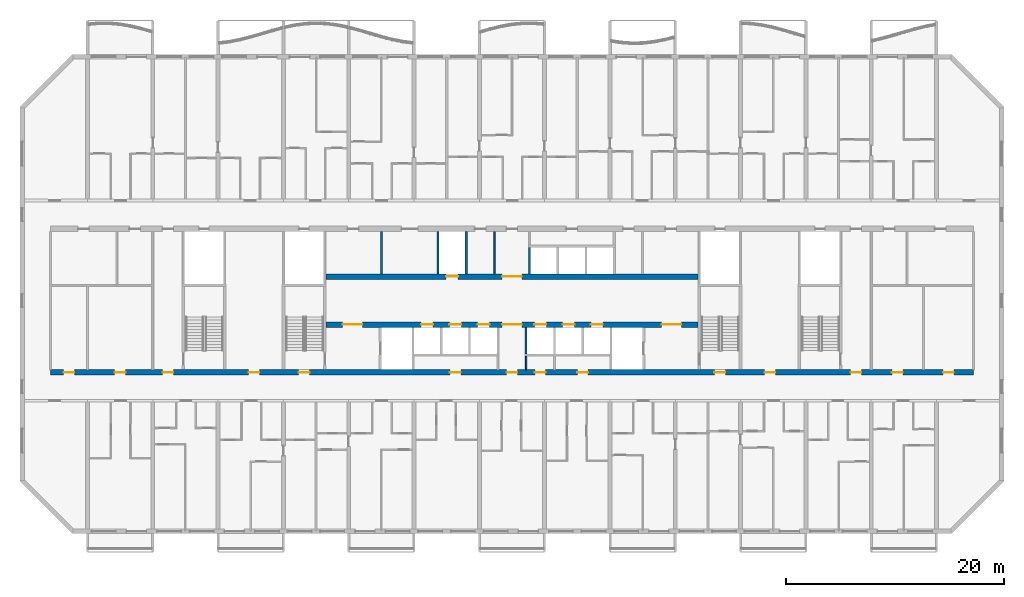
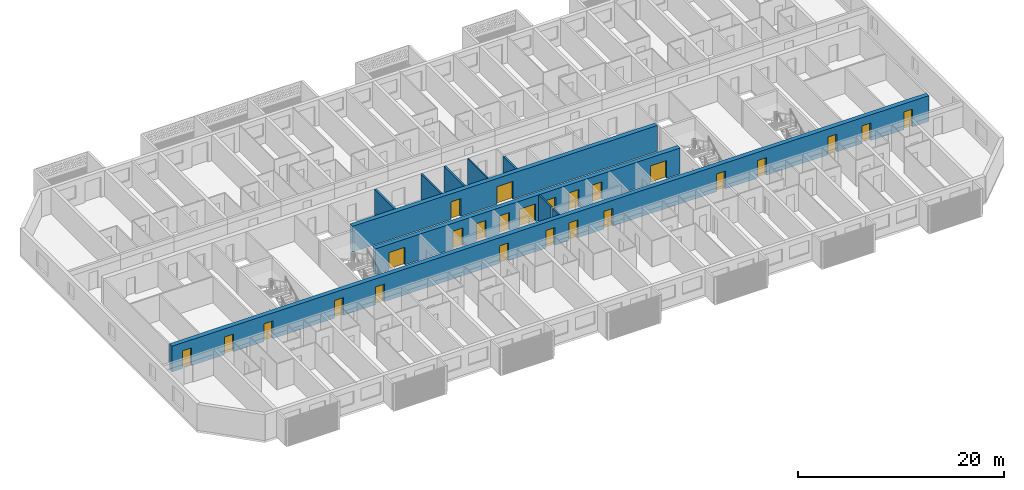
# One storey, part 7 of 29: 25 doors, 10 walls, 25 openings.
"""IFC4 building model written with IfcOpenShell, lengths in metres."""

import ifcopenshell
import ifcopenshell.guid

model = None  # the IFC model being written
_history = None  # IfcOwnerHistory: only IFC2X3 demands one
_inside = {}  # id of a spatial element -> (the spatial element, [elements in it])
_under = {}  # id of a project, library or spatial element -> (it, [spatial elements below it])
_declared = {}  # id of a project -> (the project, [libraries it declares])
_typed = {}  # id of a type object -> (the type object, [elements of that type])
_made_of = {}  # id of a material, layer set ... -> (it, [elements and type objects made of it])


def new_model(schema):
    """Start an empty IFC model of exactly this schema.

    Asked for "IFC4X3", IfcOpenShell would pick the latest addendum, in which some entities
    have other attributes; the version numbers below select the first issue.
    IFC2X3 requires an IfcOwnerHistory on every rooted entity: one is made here for all.
    """
    global model, _history
    if schema == "IFC4X3":
        model = ifcopenshell.file(schema_version=(4, 3, 0, 0))
    else:
        model = ifcopenshell.file(schema=schema)
    _inside.clear()
    _under.clear()
    _declared.clear()
    _typed.clear()
    _made_of.clear()
    _history = None
    if model.schema == "IFC2X3":
        org = make("IfcOrganization", Name="unknown")
        user = make(
            "IfcPersonAndOrganization",
            ThePerson=make("IfcPerson", FamilyName="unknown"),
            TheOrganization=org,
        )
        app = make(
            "IfcApplication",
            ApplicationDeveloper=org,
            Version="unknown",
            ApplicationFullName="unknown",
            ApplicationIdentifier="unknown",
        )
        _history = make(
            "IfcOwnerHistory",
            OwningUser=user,
            OwningApplication=app,
            ChangeAction="ADDED",
            CreationDate=0,
        )
    return model


def make(cls, **values):
    """One entity of the class cls with the attributes given. An attribute that is None is left unset."""
    return model.create_entity(
        cls, **{name: value for name, value in values.items() if value is not None}
    )


def rooted(cls, **values):
    """An entity with a GlobalId (a new one), such as an element, a storey or a relation."""
    return make(cls, GlobalId=ifcopenshell.guid.new(), OwnerHistory=_history, **values)


def si_unit(unit_type, name, prefix=None):
    """IfcSIUnit, for example si_unit("LENGTHUNIT", "METRE", prefix="MILLI")."""
    return make("IfcSIUnit", UnitType=unit_type, Prefix=prefix, Name=name)


def assignment(units):
    """IfcUnitAssignment: the units of a project."""
    return None if units is None else make("IfcUnitAssignment", Units=units)


def point(xyz):
    """IfcCartesianPoint."""
    return None if xyz is None else make("IfcCartesianPoint", Coordinates=xyz)


def direction(xyz):
    """IfcDirection."""
    return None if xyz is None else make("IfcDirection", DirectionRatios=xyz)


def frame(location, z_axis=None, x_axis=None):
    """IfcAxis2Placement3D, a coordinate frame: its origin and axes. An axis left out is left unset."""
    return make(
        "IfcAxis2Placement3D",
        Location=point(location),
        Axis=direction(z_axis),
        RefDirection=direction(x_axis),
    )


def frame_2d(location, x_axis=None):
    """IfcAxis2Placement2D, a coordinate frame in the plane: its origin and x axis."""
    return make(
        "IfcAxis2Placement2D", Location=point(location), RefDirection=direction(x_axis)
    )


def origin():
    """The frame at (0, 0, 0) with its axes left unset."""
    return frame((0.0, 0.0, 0.0))


def place(relative_to, where):
    """IfcLocalPlacement: puts the frame where relative to a parent placement (None: the world)."""
    return make(
        "IfcLocalPlacement", PlacementRelTo=relative_to, RelativePlacement=where
    )


def context(
    kind, dimensions, precision=None, world=None, true_north=None, identifier=None
):
    """IfcGeometricRepresentationContext, for example the 3D "Model" context."""
    return make(
        "IfcGeometricRepresentationContext",
        ContextIdentifier=identifier,
        ContextType=kind,
        CoordinateSpaceDimension=dimensions,
        Precision=precision,
        WorldCoordinateSystem=world,
        TrueNorth=true_north,
    )


def subcontext(parent, identifier, kind, view, scale=None):
    """IfcGeometricRepresentationSubContext, for example "Body" below "Model"."""
    return make(
        "IfcGeometricRepresentationSubContext",
        ContextIdentifier=identifier,
        ContextType=kind,
        ParentContext=parent,
        TargetScale=scale,
        TargetView=view,
    )


def project(units=None, contexts=None):
    """IfcProject with its units and contexts."""
    return rooted(
        "IfcProject",
        Name="project",
        RepresentationContexts=contexts,
        UnitsInContext=assignment(units),
    )


def spatial(cls, under=None, at=None, **own):
    """A site, building, storey or space (cls), placed at a placement, below another one or the project."""
    s = rooted(cls, ObjectPlacement=at, **own)
    if under is not None:
        _under.setdefault(under.id(), (under, []))[1].append(s)
    return s


def profile(cls, at=None, kind="AREA", **sizes):
    """A parametric profile (cls). Its sizes go by their IFC names, for example OverallWidth=200.0."""
    return make(cls, ProfileType=kind, Position=at, **sizes)


def rectangle(**sizes):
    """IfcRectangleProfileDef."""
    return profile("IfcRectangleProfileDef", **sizes)


def extrude(swept, where, along, depth):
    """IfcExtrudedAreaSolid: the profile swept, set in the frame where, extruded along a direction by depth."""
    return make(
        "IfcExtrudedAreaSolid",
        SweptArea=swept,
        Position=where,
        ExtrudedDirection=direction(along),
        Depth=depth,
    )


def shape(context_of_items, identifier, shape_type, items):
    """IfcShapeRepresentation: the items that make up one representation, for example the "Body"."""
    return make(
        "IfcShapeRepresentation",
        ContextOfItems=context_of_items,
        RepresentationIdentifier=identifier,
        RepresentationType=shape_type,
        Items=items,
    )


def material(Name=None, Category=None):
    """IfcMaterial."""
    return make("IfcMaterial", Name=Name, Category=Category)


def layer(
    of_material, thickness, ventilated=None, Name=None, Category=None, Priority=None
):
    """IfcMaterialLayer: one layer of a wall or slab, of a material (None: an air gap)."""
    return make(
        "IfcMaterialLayer",
        Material=of_material,
        LayerThickness=thickness,
        IsVentilated=ventilated,
        Name=Name,
        Category=Category,
        Priority=Priority,
    )


def layer_set(layers, Name=None):
    """IfcMaterialLayerSet."""
    return make("IfcMaterialLayerSet", MaterialLayers=layers, LayerSetName=Name)


def made_of(thing, what):
    """Note that an element or type object is made of a material, layer set ...; save() writes the relation."""
    if what is not None:
        _made_of.setdefault(what.id(), (what, []))[1].append(thing)
    return thing


def type_object(cls, material=None, **own):
    """A type object (cls), such as IfcWallType, which elements share."""
    return made_of(rooted(cls, **own), material)


def element(
    cls,
    number,
    at=None,
    inside=None,
    cuts=None,
    type_object=None,
    material=None,
    context=None,
    identifier="Body",
    shape_type=None,
    held_by="IfcProductDefinitionShape",
    body=None,
    shapes=None,
    **own,
):
    """One element of the class cls, such as IfcWall. Its Tag is "e" and its number.

    at: its placement. inside: the storey or other place that contains it. cuts: it is an
    opening in that element (IfcRelVoidsElement). A single representation is given by context,
    identifier, shape_type and body (its items); several are given by shapes. held_by: the class
    of the entity that holds the representations. save() writes the other relations.
    """
    e = rooted(cls, Tag="e%d" % number, ObjectPlacement=at, **own)
    if body is not None:
        shapes = [shape(context, identifier, shape_type, body)]
    if shapes is not None:
        e.Representation = make(held_by, Representations=shapes)
    if inside is not None:
        _inside.setdefault(inside.id(), (inside, []))[1].append(e)
    if cuts is not None:
        rooted(
            "IfcRelVoidsElement", RelatingBuildingElement=cuts, RelatedOpeningElement=e
        )
    if type_object is not None:
        _typed.setdefault(type_object.id(), (type_object, []))[1].append(e)
    return made_of(e, material)


def fill(opening, filler):
    """IfcRelFillsElement: the door or window that sits in an opening."""
    return rooted(
        "IfcRelFillsElement",
        RelatingOpeningElement=opening,
        RelatedBuildingElement=filler,
    )


def aggregate(whole, parts):
    """IfcRelAggregates: a whole, such as a stair, and the parts it consists of."""
    return rooted("IfcRelAggregates", RelatingObject=whole, RelatedObjects=parts)


def save(model, path):
    """Write the relations noted so far, then the file.

    IfcRelAggregates (storeys below a building ...), IfcRelContainedInSpatialStructure (elements
    in a storey), IfcRelDefinesByType, IfcRelAssociatesMaterial and IfcRelDeclares: one each for
    every whole, place, type object, material and project.
    """
    for whole, parts in _under.values():
        aggregate(whole, parts)
    for where, things in _inside.values():
        rooted(
            "IfcRelContainedInSpatialStructure",
            RelatedElements=things,
            RelatingStructure=where,
        )
    for kind, things in _typed.values():
        rooted("IfcRelDefinesByType", RelatedObjects=things, RelatingType=kind)
    for what, things in _made_of.values():
        rooted("IfcRelAssociatesMaterial", RelatedObjects=things, RelatingMaterial=what)
    for by, libraries in _declared.values():
        rooted("IfcRelDeclares", RelatingContext=by, RelatedDefinitions=libraries)
    model.write(path)


model = new_model("IFC4")

# Units and contexts
model_context = context("Model", 3, precision=1e-05, world=origin(), true_north=direction((0.0, 1.0)))
body_context = subcontext(model_context, "Body", "Model", "MODEL_VIEW")
ifc_project = project(units=[si_unit("LENGTHUNIT", "METRE"), si_unit("AREAUNIT", "SQUARE_METRE"), si_unit("VOLUMEUNIT", "CUBIC_METRE"), si_unit("PLANEANGLEUNIT", "RADIAN"), si_unit("MASSUNIT", "GRAM", prefix="KILO")], contexts=[model_context])

# Site, building, storey
site_placement = place(None, origin())
site = spatial("IfcSite", under=ifc_project, at=site_placement, CompositionType="ELEMENT")
building_placement = place(site_placement, origin())
building = spatial("IfcBuilding", under=site, at=building_placement, Name="Poui Terraces", CompositionType="ELEMENT")
storey_placement = place(building_placement, frame((0.0, 0.0, 86.10009765625)))
storey = spatial("IfcBuildingStorey", under=building, at=storey_placement, Name="L23", CompositionType="ELEMENT", Elevation=86.10009765625)

# Wall, openings, doors
ifc_material_1 = material(Name="Concrete 65 MPa", Category="concrete")
ifc_layer_1 = layer(ifc_material_1, 0.5)
ifc_layer_set_1 = layer_set([ifc_layer_1], Name="Concrete 65 MPa")
wall_type_1 = type_object("IfcWallType", Name="CORE WALL 500 65 MPA", PredefinedType="SOLIDWALL", material=ifc_layer_set_1)
wall_1_placement = place(storey_placement, frame((33.925048828125, 19.0, 0.0), z_axis=(0.0, 0.0, 1.0), x_axis=(1.0, 0.0, 0.0)))
wall_1 = element("IfcWall", 1, at=wall_1_placement, inside=storey, type_object=wall_type_1, Name="CORE WALL", PredefinedType="SOLIDWALL", context=body_context, shape_type="SweptSolid", body=[
    extrude(rectangle(XDim=34.14990234375, YDim=0.5, at=frame_2d((17.074951171875, 0.0))), origin(), (0.0, 0.0, 1.0), 3.059814453125),
])
opening_1_placement = place(wall_1_placement, frame((16.175048828125, 0.0, 0.0)))
opening_1 = element("IfcOpeningElement", 2, at=opening_1_placement, cuts=wall_1, Name="Opening FDD60", PredefinedType="OPENING", context=body_context, shape_type="SweptSolid", body=[
    extrude(rectangle(XDim=1.800048828125, YDim=2.10009765625, at=frame_2d((0.89990234375, 1.050048828125))), frame((0.0, 0.260009765625, 0.0), z_axis=(0.0, -1.0, 0.0), x_axis=(1.0, 0.0, 0.0)), (0.0, 0.0, 1.0), 0.52001953125),
])
opening_2_placement = place(wall_1_placement, frame((1.52490234375, 0.0, 0.0)))
opening_2 = element("IfcOpeningElement", 3, at=opening_2_placement, cuts=wall_1, Name="Opening FDD60", PredefinedType="OPENING", context=body_context, shape_type="SweptSolid", body=[
    extrude(rectangle(XDim=1.800048828125, YDim=2.10009765625, at=frame_2d((0.89990234375, 1.050048828125))), frame((0.0, 0.260009765625, 0.0), z_axis=(0.0, -1.0, 0.0), x_axis=(1.0, 0.0, 0.0)), (0.0, 0.0, 1.0), 0.52001953125),
])
opening_3_placement = place(wall_1_placement, frame((8.72509765625, 0.0, 0.0)))
opening_3 = element("IfcOpeningElement", 4, at=opening_3_placement, cuts=wall_1, Name="Opening LD", PredefinedType="OPENING", context=body_context, shape_type="SweptSolid", body=[
    extrude(rectangle(XDim=1.10009765625, YDim=2.10009765625, at=frame_2d((0.550048828125, 1.050048828125))), frame((0.0, 0.260009765625, 0.0), z_axis=(0.0, -1.0, 0.0), x_axis=(1.0, 0.0, 0.0)), (0.0, 0.0, 1.0), 0.52001953125),
])
opening_4_placement = place(wall_1_placement, frame((11.324951171875, 0.0, 0.0)))
opening_4 = element("IfcOpeningElement", 5, at=opening_4_placement, cuts=wall_1, Name="Opening LD", PredefinedType="OPENING", context=body_context, shape_type="SweptSolid", body=[
    extrude(rectangle(XDim=1.10009765625, YDim=2.10009765625, at=frame_2d((0.550048828125, 1.050048828125))), frame((0.0, 0.260009765625, 0.0), z_axis=(0.0, -1.0, 0.0), x_axis=(1.0, 0.0, 0.0)), (0.0, 0.0, 1.0), 0.52001953125),
])
opening_5_placement = place(wall_1_placement, frame((13.925048828125, 0.0, 0.0)))
opening_5 = element("IfcOpeningElement", 6, at=opening_5_placement, cuts=wall_1, Name="Opening LD", PredefinedType="OPENING", context=body_context, shape_type="SweptSolid", body=[
    extrude(rectangle(XDim=1.10009765625, YDim=2.10009765625, at=frame_2d((0.550048828125, 1.050048828125))), frame((0.0, 0.260009765625, 0.0), z_axis=(0.0, -1.0, 0.0), x_axis=(1.0, 0.0, 0.0)), (0.0, 0.0, 1.0), 0.52001953125),
])
opening_6_placement = place(wall_1_placement, frame((19.125, 0.0, 0.0)))
opening_6 = element("IfcOpeningElement", 7, at=opening_6_placement, cuts=wall_1, Name="Opening LD", PredefinedType="OPENING", context=body_context, shape_type="SweptSolid", body=[
    extrude(rectangle(XDim=1.10009765625, YDim=2.10009765625, at=frame_2d((0.550048828125, 1.050048828125))), frame((0.0, 0.260009765625, 0.0), z_axis=(0.0, -1.0, 0.0), x_axis=(1.0, 0.0, 0.0)), (0.0, 0.0, 1.0), 0.52001953125),
])
opening_7_placement = place(wall_1_placement, frame((21.72509765625, 0.0, 0.0)))
opening_7 = element("IfcOpeningElement", 8, at=opening_7_placement, cuts=wall_1, Name="Opening LD", PredefinedType="OPENING", context=body_context, shape_type="SweptSolid", body=[
    extrude(rectangle(XDim=1.10009765625, YDim=2.10009765625, at=frame_2d((0.550048828125, 1.050048828125))), frame((0.0, 0.260009765625, 0.0), z_axis=(0.0, -1.0, 0.0), x_axis=(1.0, 0.0, 0.0)), (0.0, 0.0, 1.0), 0.52001953125),
])
opening_8_placement = place(wall_1_placement, frame((24.324951171875, 0.0, 0.0)))
opening_8 = element("IfcOpeningElement", 9, at=opening_8_placement, cuts=wall_1, Name="Opening LD", PredefinedType="OPENING", context=body_context, shape_type="SweptSolid", body=[
    extrude(rectangle(XDim=1.10009765625, YDim=2.10009765625, at=frame_2d((0.550048828125, 1.050048828125))), frame((0.0, 0.260009765625, 0.0), z_axis=(0.0, -1.0, 0.0), x_axis=(1.0, 0.0, 0.0)), (0.0, 0.0, 1.0), 0.52001953125),
])
opening_9_placement = place(wall_1_placement, frame((30.824951171875, 0.0, 0.0)))
opening_9 = element("IfcOpeningElement", 10, at=opening_9_placement, cuts=wall_1, Name="Opening FDD60", PredefinedType="OPENING", context=body_context, shape_type="SweptSolid", body=[
    extrude(rectangle(XDim=1.800048828125, YDim=2.10009765625, at=frame_2d((0.89990234375, 1.050048828125))), frame((0.0, 0.260009765625, 0.0), z_axis=(0.0, -1.0, 0.0), x_axis=(1.0, 0.0, 0.0)), (0.0, 0.0, 1.0), 0.52001953125),
])
ifc_material_2 = material(Name="Steel fire door", Category="steel")
door_type_1 = type_object("IfcDoorType", Name="DOUBLE LOBBY FIRE DOOR 1800 X 2100", OperationType="DOUBLE_DOOR_SINGLE_SWING", PredefinedType="DOOR", material=ifc_material_2)
door_1_placement = place(opening_1_placement, frame((1.800048828125, 0.0, 0.0), z_axis=(0.0, 0.0, 1.0), x_axis=(-1.0, 0.0, 0.0)))
door_1 = element("IfcDoor", 11, at=door_1_placement, inside=storey, type_object=door_type_1, Name="DOUBLE LOBBY FIRE DOOR 141", OperationType="DOUBLE_DOOR_SINGLE_SWING", OverallHeight=2.10009765625, OverallWidth=1.800048828125, PredefinedType="DOOR", context=body_context, shape_type="SweptSolid", body=[
    extrude(rectangle(XDim=1.800048828125, YDim=2.10009765625, at=frame_2d((0.89990234375, 1.050048828125))), frame((0.0, 0.02490234375, 0.0), z_axis=(0.0, -1.0, 0.0), x_axis=(1.0, 0.0, 0.0)), (0.0, 0.0, 1.0), 0.050048828125),
])
fill(opening_1, door_1)
door_2_placement = place(opening_2_placement, origin())
door_2 = element("IfcDoor", 12, at=door_2_placement, inside=storey, type_object=door_type_1, Name="DOUBLE LOBBY FIRE DOOR 142", OperationType="DOUBLE_DOOR_SINGLE_SWING", OverallHeight=2.10009765625, OverallWidth=1.800048828125, PredefinedType="DOOR", context=body_context, shape_type="SweptSolid", body=[
    extrude(rectangle(XDim=1.800048828125, YDim=2.10009765625, at=frame_2d((0.89990234375, 1.050048828125))), frame((0.0, 0.02490234375, 0.0), z_axis=(0.0, -1.0, 0.0), x_axis=(1.0, 0.0, 0.0)), (0.0, 0.0, 1.0), 0.050048828125),
])
fill(opening_2, door_2)
door_3_placement = place(opening_9_placement, origin())
door_3 = element("IfcDoor", 13, at=door_3_placement, inside=storey, type_object=door_type_1, Name="DOUBLE LOBBY FIRE DOOR 150", OperationType="DOUBLE_DOOR_SINGLE_SWING", OverallHeight=2.10009765625, OverallWidth=1.800048828125, PredefinedType="DOOR", context=body_context, shape_type="SweptSolid", body=[
    extrude(rectangle(XDim=1.800048828125, YDim=2.10009765625, at=frame_2d((0.89990234375, 1.050048828125))), frame((0.0, 0.02490234375, 0.0), z_axis=(0.0, -1.0, 0.0), x_axis=(1.0, 0.0, 0.0)), (0.0, 0.0, 1.0), 0.050048828125),
])
fill(opening_9, door_3)
ifc_material_3 = material(Name="Stainless steel sliding door", Category="steel")
door_type_2 = type_object("IfcDoorType", Name="LIFT LANDING DOOR 1100 X 2100", OperationType="DOUBLE_DOOR_SLIDING", PredefinedType="DOOR", material=ifc_material_3)
door_4_placement = place(opening_3_placement, origin())
door_4 = element("IfcDoor", 14, at=door_4_placement, inside=storey, type_object=door_type_2, Name="LANDING DOOR", OperationType="DOUBLE_DOOR_SLIDING", OverallHeight=2.10009765625, OverallWidth=1.10009765625, PredefinedType="DOOR", context=body_context, shape_type="SweptSolid", body=[
    extrude(rectangle(XDim=1.10009765625, YDim=2.10009765625, at=frame_2d((0.550048828125, 1.050048828125))), frame((0.0, 0.02490234375, 0.0), z_axis=(0.0, -1.0, 0.0), x_axis=(1.0, 0.0, 0.0)), (0.0, 0.0, 1.0), 0.050048828125),
])
fill(opening_3, door_4)
door_5_placement = place(opening_4_placement, origin())
door_5 = element("IfcDoor", 15, at=door_5_placement, inside=storey, type_object=door_type_2, Name="LANDING DOOR", OperationType="DOUBLE_DOOR_SLIDING", OverallHeight=2.10009765625, OverallWidth=1.10009765625, PredefinedType="DOOR", context=body_context, shape_type="SweptSolid", body=[
    extrude(rectangle(XDim=1.10009765625, YDim=2.10009765625, at=frame_2d((0.550048828125, 1.050048828125))), frame((0.0, 0.02490234375, 0.0), z_axis=(0.0, -1.0, 0.0), x_axis=(1.0, 0.0, 0.0)), (0.0, 0.0, 1.0), 0.050048828125),
])
fill(opening_4, door_5)
door_6_placement = place(opening_5_placement, origin())
door_6 = element("IfcDoor", 16, at=door_6_placement, inside=storey, type_object=door_type_2, Name="LANDING DOOR", OperationType="DOUBLE_DOOR_SLIDING", OverallHeight=2.10009765625, OverallWidth=1.10009765625, PredefinedType="DOOR", context=body_context, shape_type="SweptSolid", body=[
    extrude(rectangle(XDim=1.10009765625, YDim=2.10009765625, at=frame_2d((0.550048828125, 1.050048828125))), frame((0.0, 0.02490234375, 0.0), z_axis=(0.0, -1.0, 0.0), x_axis=(1.0, 0.0, 0.0)), (0.0, 0.0, 1.0), 0.050048828125),
])
fill(opening_5, door_6)
door_7_placement = place(opening_6_placement, origin())
door_7 = element("IfcDoor", 17, at=door_7_placement, inside=storey, type_object=door_type_2, Name="LANDING DOOR", OperationType="DOUBLE_DOOR_SLIDING", OverallHeight=2.10009765625, OverallWidth=1.10009765625, PredefinedType="DOOR", context=body_context, shape_type="SweptSolid", body=[
    extrude(rectangle(XDim=1.10009765625, YDim=2.10009765625, at=frame_2d((0.550048828125, 1.050048828125))), frame((0.0, 0.02490234375, 0.0), z_axis=(0.0, -1.0, 0.0), x_axis=(1.0, 0.0, 0.0)), (0.0, 0.0, 1.0), 0.050048828125),
])
fill(opening_6, door_7)
door_8_placement = place(opening_7_placement, origin())
door_8 = element("IfcDoor", 18, at=door_8_placement, inside=storey, type_object=door_type_2, Name="LANDING DOOR", OperationType="DOUBLE_DOOR_SLIDING", OverallHeight=2.10009765625, OverallWidth=1.10009765625, PredefinedType="DOOR", context=body_context, shape_type="SweptSolid", body=[
    extrude(rectangle(XDim=1.10009765625, YDim=2.10009765625, at=frame_2d((0.550048828125, 1.050048828125))), frame((0.0, 0.02490234375, 0.0), z_axis=(0.0, -1.0, 0.0), x_axis=(1.0, 0.0, 0.0)), (0.0, 0.0, 1.0), 0.050048828125),
])
fill(opening_7, door_8)
door_9_placement = place(opening_8_placement, origin())
door_9 = element("IfcDoor", 19, at=door_9_placement, inside=storey, type_object=door_type_2, Name="LANDING DOOR", OperationType="DOUBLE_DOOR_SLIDING", OverallHeight=2.10009765625, OverallWidth=1.10009765625, PredefinedType="DOOR", context=body_context, shape_type="SweptSolid", body=[
    extrude(rectangle(XDim=1.10009765625, YDim=2.10009765625, at=frame_2d((0.550048828125, 1.050048828125))), frame((0.0, 0.02490234375, 0.0), z_axis=(0.0, -1.0, 0.0), x_axis=(1.0, 0.0, 0.0)), (0.0, 0.0, 1.0), 0.050048828125),
])
fill(opening_8, door_9)

wall_2_placement = place(storey_placement, frame((33.925048828125, 23.39990234375, 0.0), z_axis=(0.0, 0.0, 1.0), x_axis=(1.0, 0.0, 0.0)))
wall_2 = element("IfcWall", 20, at=wall_2_placement, inside=storey, type_object=wall_type_1, Name="CORE WALL", PredefinedType="SOLIDWALL", context=body_context, shape_type="SweptSolid", body=[
    extrude(rectangle(XDim=34.14990234375, YDim=0.5, at=frame_2d((17.074951171875, 0.0))), origin(), (0.0, 0.0, 1.0), 3.059814453125),
])
opening_10_placement = place(wall_2_placement, frame((16.175048828125, 0.0, 0.0)))
opening_10 = element("IfcOpeningElement", 21, at=opening_10_placement, cuts=wall_2, Name="Opening FDD60", PredefinedType="OPENING", context=body_context, shape_type="SweptSolid", body=[
    extrude(rectangle(XDim=1.800048828125, YDim=2.10009765625, at=frame_2d((0.89990234375, 1.050048828125))), frame((0.0, 0.260009765625, 0.0), z_axis=(0.0, -1.0, 0.0), x_axis=(1.0, 0.0, 0.0)), (0.0, 0.0, 1.0), 0.52001953125),
])
opening_11_placement = place(wall_2_placement, frame((11.02490234375, 0.0, 0.0)))
opening_11 = element("IfcOpeningElement", 22, at=opening_11_placement, cuts=wall_2, Name="Opening LD", PredefinedType="OPENING", context=body_context, shape_type="SweptSolid", body=[
    extrude(rectangle(XDim=1.10009765625, YDim=2.10009765625, at=frame_2d((0.550048828125, 1.050048828125))), frame((0.0, 0.260009765625, 0.0), z_axis=(0.0, -1.0, 0.0), x_axis=(1.0, 0.0, 0.0)), (0.0, 0.0, 1.0), 0.52001953125),
])
door_10_placement = place(opening_10_placement, origin())
door_10 = element("IfcDoor", 23, at=door_10_placement, inside=storey, type_object=door_type_1, Name="DOUBLE LOBBY FIRE DOOR 140", OperationType="DOUBLE_DOOR_SINGLE_SWING", OverallHeight=2.10009765625, OverallWidth=1.800048828125, PredefinedType="DOOR", context=body_context, shape_type="SweptSolid", body=[
    extrude(rectangle(XDim=1.800048828125, YDim=2.10009765625, at=frame_2d((0.89990234375, 1.050048828125))), frame((0.0, 0.02490234375, 0.0), z_axis=(0.0, -1.0, 0.0), x_axis=(1.0, 0.0, 0.0)), (0.0, 0.0, 1.0), 0.050048828125),
])
fill(opening_10, door_10)
door_11_placement = place(opening_11_placement, origin())
door_11 = element("IfcDoor", 24, at=door_11_placement, inside=storey, type_object=door_type_2, Name="LANDING DOOR", OperationType="DOUBLE_DOOR_SLIDING", OverallHeight=2.10009765625, OverallWidth=1.10009765625, PredefinedType="DOOR", context=body_context, shape_type="SweptSolid", body=[
    extrude(rectangle(XDim=1.10009765625, YDim=2.10009765625, at=frame_2d((0.550048828125, 1.050048828125))), frame((0.0, 0.02490234375, 0.0), z_axis=(0.0, -1.0, 0.0), x_axis=(1.0, 0.0, 0.0)), (0.0, 0.0, 1.0), 0.050048828125),
])
fill(opening_11, door_11)

# Walls
ifc_material_4 = material(Name="Fire-rated plasterboard wall")
ifc_layer_2 = layer(ifc_material_4, 0.14990234375)
ifc_layer_set_2 = layer_set([ifc_layer_2], Name="Fire-rated plasterboard wall")
wall_type_2 = type_object("IfcWallType", Name="CORRIDOR WALL 150", PredefinedType="PARTITIONING", material=ifc_layer_set_2)
wall_3_placement = place(storey_placement, frame((49.39990234375, 23.659912109375, 0.0), z_axis=(0.0, 0.0, 1.0), x_axis=(0.0, 1.0, 0.0)))
element("IfcWall", 25, at=wall_3_placement, inside=storey, type_object=wall_type_2, Name="CORRIDOR WALL 150", PredefinedType="PARTITIONING", context=body_context, shape_type="SweptSolid", body=[
    extrude(rectangle(XDim=3.880126953125, YDim=0.14990234375, at=frame_2d((1.93994140625, 0.0))), origin(), (0.0, 0.0, 1.0), 3.059814453125),
])
wall_4_placement = place(storey_placement, frame((52.300048828125, 14.860107421875, 0.0), z_axis=(0.0, 0.0, 1.0), x_axis=(0.0, 1.0, 0.0)))
element("IfcWall", 26, at=wall_4_placement, inside=storey, type_object=wall_type_2, Name="CORRIDOR WALL 150", PredefinedType="PARTITIONING", context=body_context, shape_type="SweptSolid", body=[
    extrude(rectangle(XDim=1.239990234375, YDim=0.14990234375, at=frame_2d((0.6201171875, 0.0))), origin(), (0.0, 0.0, 1.0), 3.059814453125),
])
ifc_material_5 = material(Name="Fire-rated masonry wall", Category="masonry")
ifc_layer_3 = layer(ifc_material_5, 0.199951171875)
ifc_layer_set_3 = layer_set([ifc_layer_3], Name="Fire-rated masonry wall")
wall_type_3 = type_object("IfcWallType", Name="PLANT ROOM WALL 200", PredefinedType="PARTITIONING", material=ifc_layer_set_3)
wall_5_placement = place(storey_placement, frame((39.0, 23.659912109375, 0.0), z_axis=(0.0, 0.0, 1.0), x_axis=(0.0, 1.0, 0.0)))
element("IfcWall", 27, at=wall_5_placement, inside=storey, type_object=wall_type_3, Name="PLANT ROOM WALL 200", PredefinedType="PARTITIONING", context=body_context, shape_type="SweptSolid", body=[
    extrude(rectangle(XDim=3.880126953125, YDim=0.199951171875, at=frame_2d((1.93994140625, 0.0))), origin(), (0.0, 0.0, 1.0), 3.059814453125),
])
ifc_material_6 = material(Name="Fire-rated masonry shaft wall", Category="masonry")
ifc_layer_4 = layer(ifc_material_6, 0.199951171875)
ifc_layer_set_4 = layer_set([ifc_layer_4], Name="Fire-rated masonry shaft wall")
wall_type_4 = type_object("IfcWallType", Name="SHAFT WALL 200", PredefinedType="PARTITIONING", material=ifc_layer_set_4)
for number, where, z_axis, x_axis, name in (
    (28, (44.199951171875, 23.659912109375, 0.0), (0.0, 0.0, 1.0), (0.0, 1.0, 0.0), "SHAFT WALL 200"),
    (29, (46.800048828125, 23.659912109375, 0.0), (0.0, 0.0, 1.0), (0.0, 1.0, 0.0), "SHAFT WALL 200"),
):
    element("IfcWall", number, at=place(storey_placement, frame(where, z_axis=z_axis, x_axis=x_axis)), inside=storey, type_object=wall_type_4, Name=name, PredefinedType="PARTITIONING", context=body_context, shape_type="SweptSolid", body=[
        extrude(rectangle(XDim=3.880126953125, YDim=0.199951171875, at=frame_2d((1.93994140625, 0.0))), origin(), (0.0, 0.0, 1.0), 3.059814453125),
    ])
wall_6_placement = place(storey_placement, frame((52.300048828125, 16.300048828125, 0.0), z_axis=(0.0, 0.0, 1.0), x_axis=(0.0, 1.0, 0.0)))
element("IfcWall", 30, at=wall_6_placement, inside=storey, type_object=wall_type_4, Name="SHAFT WALL 200", PredefinedType="PARTITIONING", context=body_context, shape_type="SweptSolid", body=[
    extrude(rectangle(XDim=2.43994140625, YDim=0.199951171875, at=frame_2d((1.219970703125, 0.0))), origin(), (0.0, 0.0, 1.0), 3.059814453125),
])
wall_7_placement = place(storey_placement, frame((52.60009765625, 23.659912109375, 0.0), z_axis=(0.0, 0.0, 1.0), x_axis=(0.0, 1.0, 0.0)))
element("IfcWall", 31, at=wall_7_placement, inside=storey, type_object=wall_type_4, Name="SHAFT WALL 200", PredefinedType="PARTITIONING", context=body_context, shape_type="SweptSolid", body=[
    extrude(rectangle(XDim=2.440185546875, YDim=0.199951171875, at=frame_2d((1.22021484375, 0.0))), origin(), (0.0, 0.0, 1.0), 3.059814453125),
])

# Wall, openings, doors
ifc_layer_5 = layer(ifc_material_1, 0.5)
ifc_layer_set_5 = layer_set([ifc_layer_5], Name="Concrete 65 MPa")
wall_type_5 = type_object("IfcWallType", Name="SPINE WALL 500 65 MPA", PredefinedType="SOLIDWALL", material=ifc_layer_set_5)
wall_8_placement = place(storey_placement, frame((8.60009765625, 14.60009765625, 0.0), z_axis=(0.0, 0.0, 1.0), x_axis=(1.0, 0.0, 0.0)))
wall_8 = element("IfcWall", 32, at=wall_8_placement, inside=storey, type_object=wall_type_5, Name="SPINE WALL", PredefinedType="SOLIDWALL", context=body_context, shape_type="SweptSolid", body=[
    extrude(rectangle(XDim=84.7998046875, YDim=0.5, at=frame_2d((42.39990234375, 0.0))), origin(), (0.0, 0.0, 1.0), 3.059814453125),
])
opening_12_placement = place(wall_8_placement, frame((1.199951171875, 0.0, 0.0)))
opening_12 = element("IfcOpeningElement", 33, at=opening_12_placement, cuts=wall_8, Name="Opening FD60", PredefinedType="OPENING", context=body_context, shape_type="SweptSolid", body=[
    extrude(rectangle(XDim=1.0, YDim=2.10009765625, at=frame_2d((0.5, 1.050048828125))), frame((0.0, 0.260009765625, 0.0), z_axis=(0.0, -1.0, 0.0), x_axis=(1.0, 0.0, 0.0)), (0.0, 0.0, 1.0), 0.52001953125),
])
opening_13_placement = place(wall_8_placement, frame((5.89990234375, 0.0, 0.0)))
opening_13 = element("IfcOpeningElement", 34, at=opening_13_placement, cuts=wall_8, Name="Opening FD60", PredefinedType="OPENING", context=body_context, shape_type="SweptSolid", body=[
    extrude(rectangle(XDim=1.0, YDim=2.10009765625, at=frame_2d((0.5, 1.050048828125))), frame((0.0, 0.260009765625, 0.0), z_axis=(0.0, -1.0, 0.0), x_axis=(1.0, 0.0, 0.0)), (0.0, 0.0, 1.0), 0.52001953125),
])
opening_14_placement = place(wall_8_placement, frame((10.300048828125, 0.0, 0.0)))
opening_14 = element("IfcOpeningElement", 35, at=opening_14_placement, cuts=wall_8, Name="Opening FDL", PredefinedType="OPENING", context=body_context, shape_type="SweptSolid", body=[
    extrude(rectangle(XDim=1.0, YDim=2.10009765625, at=frame_2d((0.5, 1.050048828125))), frame((0.0, 0.260009765625, 0.0), z_axis=(0.0, -1.0, 0.0), x_axis=(1.0, 0.0, 0.0)), (0.0, 0.0, 1.0), 0.52001953125),
])
opening_15_placement = place(wall_8_placement, frame((18.199951171875, 0.0, 0.0)))
opening_15 = element("IfcOpeningElement", 36, at=opening_15_placement, cuts=wall_8, Name="Opening D100", PredefinedType="OPENING", context=body_context, shape_type="SweptSolid", body=[
    extrude(rectangle(XDim=1.0, YDim=2.10009765625, at=frame_2d((0.5, 1.050048828125))), frame((0.0, 0.260009765625, 0.0), z_axis=(0.0, -1.0, 0.0), x_axis=(1.0, 0.0, 0.0)), (0.0, 0.0, 1.0), 0.52001953125),
])
opening_16_placement = place(wall_8_placement, frame((22.800048828125, 0.0, 0.0)))
opening_16 = element("IfcOpeningElement", 37, at=opening_16_placement, cuts=wall_8, Name="Opening FD60S", PredefinedType="OPENING", context=body_context, shape_type="SweptSolid", body=[
    extrude(rectangle(XDim=1.0, YDim=2.10009765625, at=frame_2d((0.5, 1.050048828125))), frame((0.0, 0.260009765625, 0.0), z_axis=(0.0, -1.0, 0.0), x_axis=(1.0, 0.0, 0.0)), (0.0, 0.0, 1.0), 0.52001953125),
])
opening_17_placement = place(wall_8_placement, frame((36.699951171875, 0.0, 0.0)))
opening_17 = element("IfcOpeningElement", 38, at=opening_17_placement, cuts=wall_8, Name="Opening FD60", PredefinedType="OPENING", context=body_context, shape_type="SweptSolid", body=[
    extrude(rectangle(XDim=1.0, YDim=2.10009765625, at=frame_2d((0.5, 1.050048828125))), frame((0.0, 0.260009765625, 0.0), z_axis=(0.0, -1.0, 0.0), x_axis=(1.0, 0.0, 0.0)), (0.0, 0.0, 1.0), 0.52001953125),
])
opening_18_placement = place(wall_8_placement, frame((41.89990234375, 0.0, 0.0)))
opening_18 = element("IfcOpeningElement", 39, at=opening_18_placement, cuts=wall_8, Name="Opening FDL", PredefinedType="OPENING", context=body_context, shape_type="SweptSolid", body=[
    extrude(rectangle(XDim=1.0, YDim=2.10009765625, at=frame_2d((0.5, 1.050048828125))), frame((0.0, 0.260009765625, 0.0), z_axis=(0.0, -1.0, 0.0), x_axis=(1.0, 0.0, 0.0)), (0.0, 0.0, 1.0), 0.52001953125),
])
opening_19_placement = place(wall_8_placement, frame((44.5, 0.0, 0.0)))
opening_19 = element("IfcOpeningElement", 40, at=opening_19_placement, cuts=wall_8, Name="Opening FD60", PredefinedType="OPENING", context=body_context, shape_type="SweptSolid", body=[
    extrude(rectangle(XDim=1.0, YDim=2.10009765625, at=frame_2d((0.5, 1.050048828125))), frame((0.0, 0.260009765625, 0.0), z_axis=(0.0, -1.0, 0.0), x_axis=(1.0, 0.0, 0.0)), (0.0, 0.0, 1.0), 0.52001953125),
])
opening_20_placement = place(wall_8_placement, frame((48.39990234375, 0.0, 0.0)))
opening_20 = element("IfcOpeningElement", 41, at=opening_20_placement, cuts=wall_8, Name="Opening FD60", PredefinedType="OPENING", context=body_context, shape_type="SweptSolid", body=[
    extrude(rectangle(XDim=1.0, YDim=2.10009765625, at=frame_2d((0.5, 1.050048828125))), frame((0.0, 0.260009765625, 0.0), z_axis=(0.0, -1.0, 0.0), x_axis=(1.0, 0.0, 0.0)), (0.0, 0.0, 1.0), 0.52001953125),
])
opening_21_placement = place(wall_8_placement, frame((61.0, 0.0, 0.0)))
opening_21 = element("IfcOpeningElement", 42, at=opening_21_placement, cuts=wall_8, Name="Opening FD60S", PredefinedType="OPENING", context=body_context, shape_type="SweptSolid", body=[
    extrude(rectangle(XDim=1.0, YDim=2.10009765625, at=frame_2d((0.5, 1.050048828125))), frame((0.0, 0.260009765625, 0.0), z_axis=(0.0, -1.0, 0.0), x_axis=(1.0, 0.0, 0.0)), (0.0, 0.0, 1.0), 0.52001953125),
])
opening_22_placement = place(wall_8_placement, frame((65.60009765625, 0.0, 0.0)))
opening_22 = element("IfcOpeningElement", 43, at=opening_22_placement, cuts=wall_8, Name="Opening D100", PredefinedType="OPENING", context=body_context, shape_type="SweptSolid", body=[
    extrude(rectangle(XDim=1.0, YDim=2.10009765625, at=frame_2d((0.5, 1.050048828125))), frame((0.0, 0.260009765625, 0.0), z_axis=(0.0, -1.0, 0.0), x_axis=(1.0, 0.0, 0.0)), (0.0, 0.0, 1.0), 0.52001953125),
])
opening_23_placement = place(wall_8_placement, frame((73.5, 0.0, 0.0)))
opening_23 = element("IfcOpeningElement", 44, at=opening_23_placement, cuts=wall_8, Name="Opening FDL", PredefinedType="OPENING", context=body_context, shape_type="SweptSolid", body=[
    extrude(rectangle(XDim=1.0, YDim=2.10009765625, at=frame_2d((0.5, 1.050048828125))), frame((0.0, 0.260009765625, 0.0), z_axis=(0.0, -1.0, 0.0), x_axis=(1.0, 0.0, 0.0)), (0.0, 0.0, 1.0), 0.52001953125),
])
opening_24_placement = place(wall_8_placement, frame((77.300048828125, 0.0, 0.0)))
opening_24 = element("IfcOpeningElement", 45, at=opening_24_placement, cuts=wall_8, Name="Opening FD60", PredefinedType="OPENING", context=body_context, shape_type="SweptSolid", body=[
    extrude(rectangle(XDim=1.0, YDim=2.10009765625, at=frame_2d((0.5, 1.050048828125))), frame((0.0, 0.260009765625, 0.0), z_axis=(0.0, -1.0, 0.0), x_axis=(1.0, 0.0, 0.0)), (0.0, 0.0, 1.0), 0.52001953125),
])
opening_25_placement = place(wall_8_placement, frame((82.0, 0.0, 0.0)))
opening_25 = element("IfcOpeningElement", 46, at=opening_25_placement, cuts=wall_8, Name="Opening D100", PredefinedType="OPENING", context=body_context, shape_type="SweptSolid", body=[
    extrude(rectangle(XDim=1.0, YDim=2.10009765625, at=frame_2d((0.5, 1.050048828125))), frame((0.0, 0.260009765625, 0.0), z_axis=(0.0, -1.0, 0.0), x_axis=(1.0, 0.0, 0.0)), (0.0, 0.0, 1.0), 0.52001953125),
])
ifc_material_7 = material(Name="Solid core timber door", Category="wood")
door_type_3 = type_object("IfcDoorType", Name="ACCESSIBLE INTERNAL DOOR 1000 X 2100", OperationType="NOTDEFINED", PredefinedType="DOOR", material=ifc_material_7)
door_12_placement = place(opening_15_placement, frame((1.0, 0.0, 0.0), z_axis=(0.0, 0.0, 1.0), x_axis=(-1.0, 0.0, 0.0)))
door_12 = element("IfcDoor", 47, at=door_12_placement, inside=storey, type_object=door_type_3, Name="ACCESSIBLE INTERNAL DOOR 021", OperationType="SINGLE_SWING_RIGHT", OverallHeight=2.10009765625, OverallWidth=1.0, PredefinedType="DOOR", context=body_context, shape_type="SweptSolid", body=[
    extrude(rectangle(XDim=1.0, YDim=2.10009765625, at=frame_2d((0.5, 1.050048828125))), frame((0.0, 0.02490234375, 0.0), z_axis=(0.0, -1.0, 0.0), x_axis=(1.0, 0.0, 0.0)), (0.0, 0.0, 1.0), 0.050048828125),
])
fill(opening_15, door_12)
door_13_placement = place(opening_22_placement, frame((1.0, 0.0, 0.0), z_axis=(0.0, 0.0, 1.0), x_axis=(-1.0, 0.0, 0.0)))
door_13 = element("IfcDoor", 48, at=door_13_placement, inside=storey, type_object=door_type_3, Name="ACCESSIBLE INTERNAL DOOR 028", OperationType="SINGLE_SWING_LEFT", OverallHeight=2.10009765625, OverallWidth=1.0, PredefinedType="DOOR", context=body_context, shape_type="SweptSolid", body=[
    extrude(rectangle(XDim=1.0, YDim=2.10009765625, at=frame_2d((0.5, 1.050048828125))), frame((0.0, 0.02490234375, 0.0), z_axis=(0.0, -1.0, 0.0), x_axis=(1.0, 0.0, 0.0)), (0.0, 0.0, 1.0), 0.050048828125),
])
fill(opening_22, door_13)
door_14_placement = place(opening_25_placement, frame((1.0, 0.0, 0.0), z_axis=(0.0, 0.0, 1.0), x_axis=(-1.0, 0.0, 0.0)))
door_14 = element("IfcDoor", 49, at=door_14_placement, inside=storey, type_object=door_type_3, Name="ACCESSIBLE INTERNAL DOOR 031", OperationType="SINGLE_SWING_LEFT", OverallHeight=2.10009765625, OverallWidth=1.0, PredefinedType="DOOR", context=body_context, shape_type="SweptSolid", body=[
    extrude(rectangle(XDim=1.0, YDim=2.10009765625, at=frame_2d((0.5, 1.050048828125))), frame((0.0, 0.02490234375, 0.0), z_axis=(0.0, -1.0, 0.0), x_axis=(1.0, 0.0, 0.0)), (0.0, 0.0, 1.0), 0.050048828125),
])
fill(opening_25, door_14)
door_type_4 = type_object("IfcDoorType", Name="LOBBY FIRE DOOR 1000 X 2100", OperationType="NOTDEFINED", PredefinedType="DOOR", material=ifc_material_2)
door_15_placement = place(opening_14_placement, frame((1.0, 0.0, 0.0), z_axis=(0.0, 0.0, 1.0), x_axis=(-1.0, 0.0, 0.0)))
door_15 = element("IfcDoor", 50, at=door_15_placement, inside=storey, type_object=door_type_4, Name="LOBBY FIRE DOOR 020", OperationType="SINGLE_SWING_RIGHT", OverallHeight=2.10009765625, OverallWidth=1.0, PredefinedType="DOOR", context=body_context, shape_type="SweptSolid", body=[
    extrude(rectangle(XDim=1.0, YDim=2.10009765625, at=frame_2d((0.5, 1.050048828125))), frame((0.0, 0.02490234375, 0.0), z_axis=(0.0, -1.0, 0.0), x_axis=(1.0, 0.0, 0.0)), (0.0, 0.0, 1.0), 0.050048828125),
])
fill(opening_14, door_15)
door_16_placement = place(opening_18_placement, frame((1.0, 0.0, 0.0), z_axis=(0.0, 0.0, 1.0), x_axis=(-1.0, 0.0, 0.0)))
door_16 = element("IfcDoor", 51, at=door_16_placement, inside=storey, type_object=door_type_4, Name="LOBBY FIRE DOOR 024", OperationType="SINGLE_SWING_LEFT", OverallHeight=2.10009765625, OverallWidth=1.0, PredefinedType="DOOR", context=body_context, shape_type="SweptSolid", body=[
    extrude(rectangle(XDim=1.0, YDim=2.10009765625, at=frame_2d((0.5, 1.050048828125))), frame((0.0, 0.02490234375, 0.0), z_axis=(0.0, -1.0, 0.0), x_axis=(1.0, 0.0, 0.0)), (0.0, 0.0, 1.0), 0.050048828125),
])
fill(opening_18, door_16)
door_17_placement = place(opening_23_placement, frame((1.0, 0.0, 0.0), z_axis=(0.0, 0.0, 1.0), x_axis=(-1.0, 0.0, 0.0)))
door_17 = element("IfcDoor", 52, at=door_17_placement, inside=storey, type_object=door_type_4, Name="LOBBY FIRE DOOR 029", OperationType="SINGLE_SWING_LEFT", OverallHeight=2.10009765625, OverallWidth=1.0, PredefinedType="DOOR", context=body_context, shape_type="SweptSolid", body=[
    extrude(rectangle(XDim=1.0, YDim=2.10009765625, at=frame_2d((0.5, 1.050048828125))), frame((0.0, 0.02490234375, 0.0), z_axis=(0.0, -1.0, 0.0), x_axis=(1.0, 0.0, 0.0)), (0.0, 0.0, 1.0), 0.050048828125),
])
fill(opening_23, door_17)
door_type_5 = type_object("IfcDoorType", Name="SERVICE ROOM FIRE DOOR 1000 X 2100", OperationType="NOTDEFINED", PredefinedType="DOOR", material=ifc_material_2)
door_18_placement = place(opening_12_placement, frame((1.0, 0.0, 0.0), z_axis=(0.0, 0.0, 1.0), x_axis=(-1.0, 0.0, 0.0)))
door_18 = element("IfcDoor", 53, at=door_18_placement, inside=storey, type_object=door_type_5, Name="SERVICE ROOM FIRE DOOR 018", OperationType="SINGLE_SWING_RIGHT", OverallHeight=2.10009765625, OverallWidth=1.0, PredefinedType="DOOR", context=body_context, shape_type="SweptSolid", body=[
    extrude(rectangle(XDim=1.0, YDim=2.10009765625, at=frame_2d((0.5, 1.050048828125))), frame((0.0, 0.02490234375, 0.0), z_axis=(0.0, -1.0, 0.0), x_axis=(1.0, 0.0, 0.0)), (0.0, 0.0, 1.0), 0.050048828125),
])
fill(opening_12, door_18)
door_19_placement = place(opening_13_placement, frame((1.0, 0.0, 0.0), z_axis=(0.0, 0.0, 1.0), x_axis=(-1.0, 0.0, 0.0)))
door_19 = element("IfcDoor", 54, at=door_19_placement, inside=storey, type_object=door_type_5, Name="SERVICE ROOM FIRE DOOR 019", OperationType="SINGLE_SWING_LEFT", OverallHeight=2.10009765625, OverallWidth=1.0, PredefinedType="DOOR", context=body_context, shape_type="SweptSolid", body=[
    extrude(rectangle(XDim=1.0, YDim=2.10009765625, at=frame_2d((0.5, 1.050048828125))), frame((0.0, 0.02490234375, 0.0), z_axis=(0.0, -1.0, 0.0), x_axis=(1.0, 0.0, 0.0)), (0.0, 0.0, 1.0), 0.050048828125),
])
fill(opening_13, door_19)
door_20_placement = place(opening_17_placement, frame((1.0, 0.0, 0.0), z_axis=(0.0, 0.0, 1.0), x_axis=(-1.0, 0.0, 0.0)))
door_20 = element("IfcDoor", 55, at=door_20_placement, inside=storey, type_object=door_type_5, Name="SERVICE ROOM FIRE DOOR 023", OperationType="SINGLE_SWING_LEFT", OverallHeight=2.10009765625, OverallWidth=1.0, PredefinedType="DOOR", context=body_context, shape_type="SweptSolid", body=[
    extrude(rectangle(XDim=1.0, YDim=2.10009765625, at=frame_2d((0.5, 1.050048828125))), frame((0.0, 0.02490234375, 0.0), z_axis=(0.0, -1.0, 0.0), x_axis=(1.0, 0.0, 0.0)), (0.0, 0.0, 1.0), 0.050048828125),
])
fill(opening_17, door_20)
door_21_placement = place(opening_19_placement, frame((1.0, 0.0, 0.0), z_axis=(0.0, 0.0, 1.0), x_axis=(-1.0, 0.0, 0.0)))
door_21 = element("IfcDoor", 56, at=door_21_placement, inside=storey, type_object=door_type_5, Name="SERVICE ROOM FIRE DOOR 025", OperationType="SINGLE_SWING_RIGHT", OverallHeight=2.10009765625, OverallWidth=1.0, PredefinedType="DOOR", context=body_context, shape_type="SweptSolid", body=[
    extrude(rectangle(XDim=1.0, YDim=2.10009765625, at=frame_2d((0.5, 1.050048828125))), frame((0.0, 0.02490234375, 0.0), z_axis=(0.0, -1.0, 0.0), x_axis=(1.0, 0.0, 0.0)), (0.0, 0.0, 1.0), 0.050048828125),
])
fill(opening_19, door_21)
door_22_placement = place(opening_20_placement, frame((1.0, 0.0, 0.0), z_axis=(0.0, 0.0, 1.0), x_axis=(-1.0, 0.0, 0.0)))
door_22 = element("IfcDoor", 57, at=door_22_placement, inside=storey, type_object=door_type_5, Name="SERVICE ROOM FIRE DOOR 026", OperationType="SINGLE_SWING_LEFT", OverallHeight=2.10009765625, OverallWidth=1.0, PredefinedType="DOOR", context=body_context, shape_type="SweptSolid", body=[
    extrude(rectangle(XDim=1.0, YDim=2.10009765625, at=frame_2d((0.5, 1.050048828125))), frame((0.0, 0.02490234375, 0.0), z_axis=(0.0, -1.0, 0.0), x_axis=(1.0, 0.0, 0.0)), (0.0, 0.0, 1.0), 0.050048828125),
])
fill(opening_20, door_22)
door_23_placement = place(opening_24_placement, frame((1.0, 0.0, 0.0), z_axis=(0.0, 0.0, 1.0), x_axis=(-1.0, 0.0, 0.0)))
door_23 = element("IfcDoor", 58, at=door_23_placement, inside=storey, type_object=door_type_5, Name="SERVICE ROOM FIRE DOOR 030", OperationType="SINGLE_SWING_RIGHT", OverallHeight=2.10009765625, OverallWidth=1.0, PredefinedType="DOOR", context=body_context, shape_type="SweptSolid", body=[
    extrude(rectangle(XDim=1.0, YDim=2.10009765625, at=frame_2d((0.5, 1.050048828125))), frame((0.0, 0.02490234375, 0.0), z_axis=(0.0, -1.0, 0.0), x_axis=(1.0, 0.0, 0.0)), (0.0, 0.0, 1.0), 0.050048828125),
])
fill(opening_24, door_23)
door_type_6 = type_object("IfcDoorType", Name="STAIR DOOR 1000 X 2100", OperationType="NOTDEFINED", PredefinedType="DOOR", material=ifc_material_2)
door_24_placement = place(opening_16_placement, origin())
door_24 = element("IfcDoor", 59, at=door_24_placement, inside=storey, type_object=door_type_6, Name="STAIR DOOR 022", OperationType="SINGLE_SWING_RIGHT", OverallHeight=2.10009765625, OverallWidth=1.0, PredefinedType="DOOR", context=body_context, shape_type="SweptSolid", body=[
    extrude(rectangle(XDim=1.0, YDim=2.10009765625, at=frame_2d((0.5, 1.050048828125))), frame((0.0, 0.02490234375, 0.0), z_axis=(0.0, -1.0, 0.0), x_axis=(1.0, 0.0, 0.0)), (0.0, 0.0, 1.0), 0.050048828125),
])
fill(opening_16, door_24)
door_25_placement = place(opening_21_placement, origin())
door_25 = element("IfcDoor", 60, at=door_25_placement, inside=storey, type_object=door_type_6, Name="STAIR DOOR 027", OperationType="SINGLE_SWING_RIGHT", OverallHeight=2.10009765625, OverallWidth=1.0, PredefinedType="DOOR", context=body_context, shape_type="SweptSolid", body=[
    extrude(rectangle(XDim=1.0, YDim=2.10009765625, at=frame_2d((0.5, 1.050048828125))), frame((0.0, 0.02490234375, 0.0), z_axis=(0.0, -1.0, 0.0), x_axis=(1.0, 0.0, 0.0)), (0.0, 0.0, 1.0), 0.050048828125),
])
fill(opening_21, door_25)

save(model, "model.ifc")
